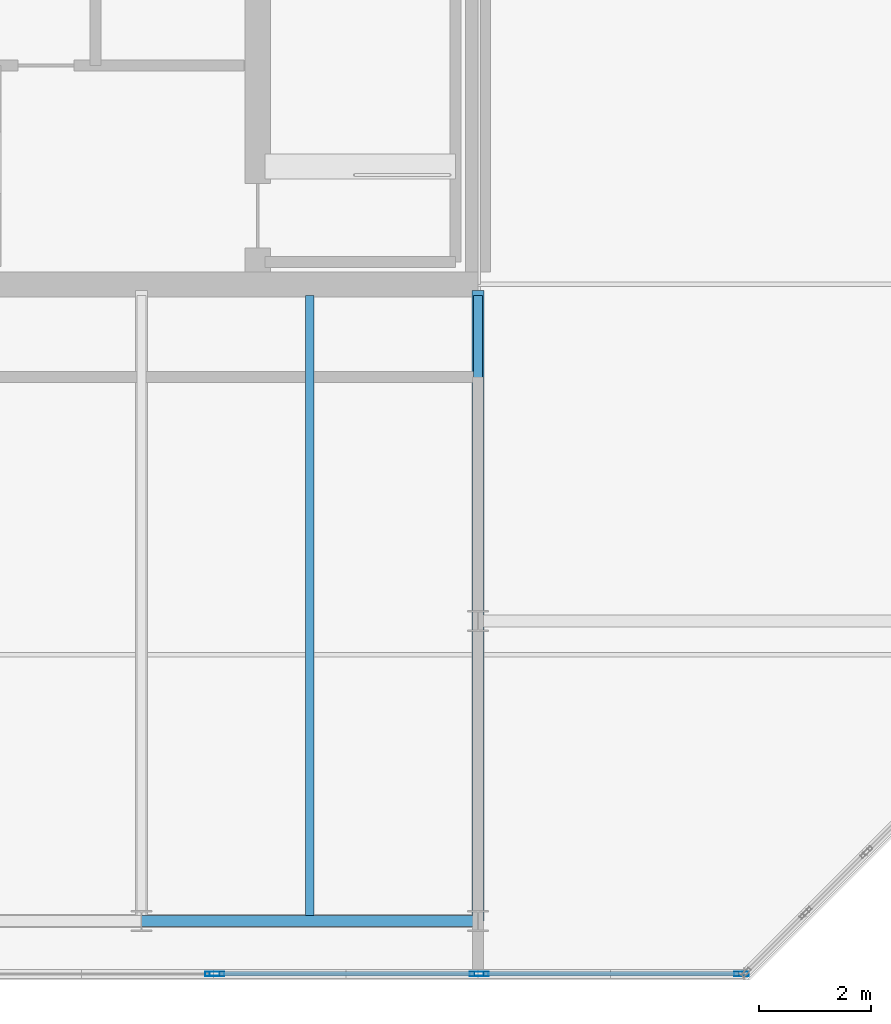
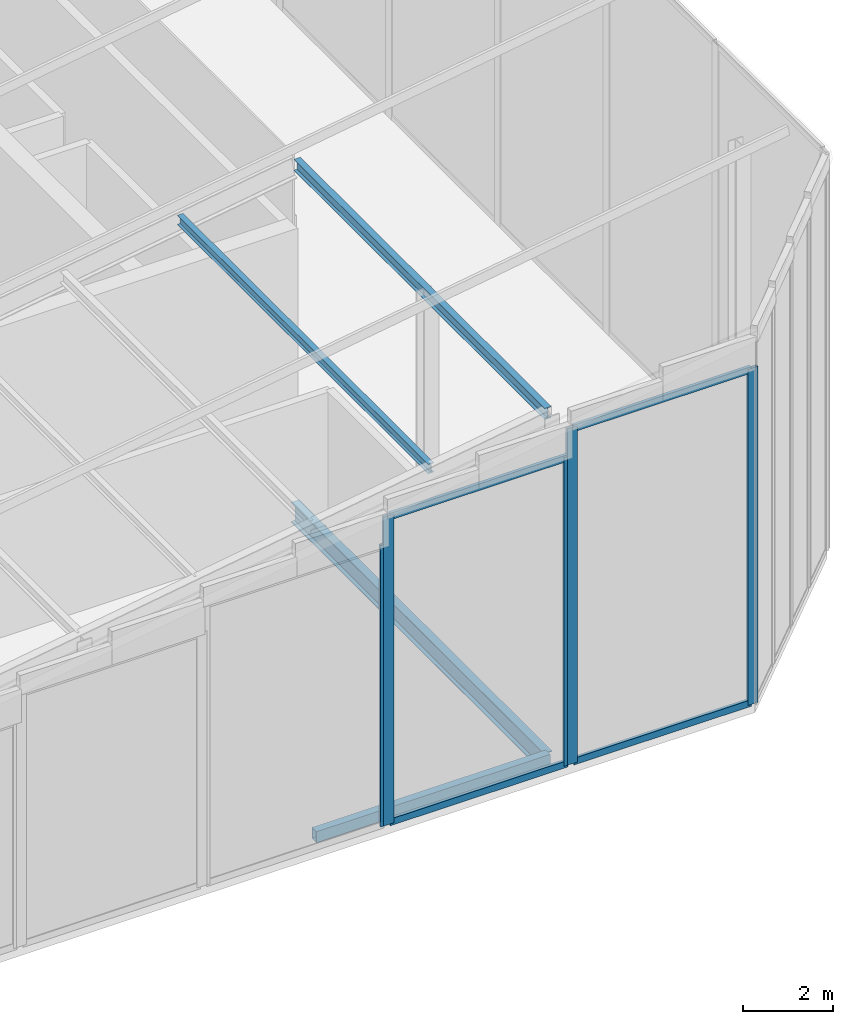
# One storey, part 10 of 30: 11 members, 2 beams, 3 elements without a shape of their own.
"""IFC4 building model written with IfcOpenShell, lengths in metres."""

from ifc_helpers import new_model, si_unit, direction, frame, origin, origin_2d, place, context, subcontext, project, spatial, hollow_rectangle, i_section, extrude, material, layer, layer_set, material_profile, profile_set, type_object, element, aggregate, save


model = new_model("IFC4")

# Units and contexts
model_context = context("Model", 3, precision=1e-05, world=origin(), true_north=direction((0.0, 1.0)))
body_context = subcontext(model_context, "Body", "Model", "MODEL_VIEW")
ifc_project = project(units=[si_unit("LENGTHUNIT", "METRE"), si_unit("AREAUNIT", "SQUARE_METRE"), si_unit("VOLUMEUNIT", "CUBIC_METRE"), si_unit("PLANEANGLEUNIT", "RADIAN"), si_unit("MASSUNIT", "GRAM", prefix="KILO")], contexts=[model_context])

# Site, building, storey
site_placement = place(None, origin())
site = spatial("IfcSite", under=ifc_project, at=site_placement, CompositionType="ELEMENT")
building_placement = place(site_placement, origin())
building = spatial("IfcBuilding", under=site, at=building_placement, Name="Tanjung Sevakor Pilgrim Tower", CompositionType="ELEMENT")
storey_placement = place(building_placement, frame((0.0, 0.0, 287.760009765625)))
storey = spatial("IfcBuildingStorey", under=building, at=storey_placement, Name="L80", CompositionType="ELEMENT", Elevation=287.760009765625)

# Beams
ifc_material_1 = material(Name="Steel S355J2", Category="steel")
ifc_material_profile_1 = material_profile(ifc_material_1, i_section(OverallWidth=0.210693359375, OverallDepth=0.53955078125, WebThickness=0.01171875, FlangeThickness=0.018798828125, FilletRadius=0.0126953125, at=origin_2d()))
ifc_profile_set_1 = profile_set([ifc_material_profile_1], Name="Steel S355J2")
beam_type_1 = type_object("IfcBeamType", Name="BM-B-G6-UB_533x210x109", PredefinedType="BEAM", material=ifc_profile_set_1)
beam_1_placement = place(storey_placement, frame((90.0, 13.25, -0.52978515625), z_axis=(0.0, 1.0, 0.0), x_axis=(-1.0, 0.0, 0.0)))
element("IfcBeam", 1, at=beam_1_placement, inside=storey, type_object=beam_type_1, Name="L80 EAST Girder 009", PredefinedType="BEAM", context=body_context, shape_type="SweptSolid", body=[
    extrude(i_section(OverallWidth=0.210693359375, OverallDepth=0.53955078125, WebThickness=0.01171875, FlangeThickness=0.018798828125, FilletRadius=0.0126953125, at=origin_2d()), origin(), (0.0, 0.0, 1.0), 11.243896484375),
])
ifc_material_2 = material(Name="Steel S355J2", Category="steel")
ifc_material_profile_2 = material_profile(ifc_material_2, hollow_rectangle(XDim=0.199951171875, YDim=0.300048828125, WallThickness=0.012451171875, at=origin_2d()))
ifc_profile_set_2 = profile_set([ifc_material_profile_2], Name="Steel S355J2")
beam_type_2 = type_object("IfcBeamType", Name="BM-B-SP3-RHS_300x200x12.5", PredefinedType="SPANDREL", material=ifc_profile_set_2)
beam_2_placement = place(storey_placement, frame((84.0, 13.25, -0.409912109375), z_axis=(1.0, 0.0, 0.0), x_axis=(0.0, 1.0, 0.0)))
element("IfcBeam", 2, at=beam_2_placement, inside=storey, type_object=beam_type_2, Name="L80 Spandrel EAST S-05", PredefinedType="SPANDREL", context=body_context, shape_type="SweptSolid", body=[
    extrude(hollow_rectangle(XDim=0.199951171875, YDim=0.300048828125, WallThickness=0.012451171875, at=origin_2d()), origin(), (0.0, 0.0, 1.0), 6.0),
])

# Members
ifc_material_3 = material(Name="Steel S355J2", Category="steel")
ifc_material_profile_3 = material_profile(ifc_material_3, i_section(OverallWidth=0.165771484375, OverallDepth=0.306640625, WebThickness=0.006591796875, FlangeThickness=0.01171875, FilletRadius=0.0087890625, at=origin_2d()))
ifc_profile_set_3 = profile_set([ifc_material_profile_3], Name="Steel S355J2")
member_type_1 = type_object("IfcMemberType", Name="MEM-M-PR1-UB_305x165x46", PredefinedType="PURLIN", material=ifc_profile_set_3)
member_1_placement = place(storey_placement, frame((90.0, 13.25, 8.94140625), z_axis=(0.0, 1.0, 0.0), x_axis=(-1.0, 0.0, 0.0)))
element("IfcMember", 3, at=member_1_placement, inside=storey, type_object=member_type_1, Name="L80 Crown Roof Purlin 13", PredefinedType="PURLIN", context=body_context, shape_type="SweptSolid", body=[
    extrude(i_section(OverallWidth=0.165771484375, OverallDepth=0.306640625, WebThickness=0.006591796875, FlangeThickness=0.01171875, FilletRadius=0.0087890625, at=origin_2d()), origin(), (0.0, 0.0, 1.0), 11.14990234375),
])
ifc_material_4 = material(Name="Steel S355J2", Category="steel")
ifc_material_profile_4 = material_profile(ifc_material_4, i_section(OverallWidth=0.146484375, OverallDepth=0.256103515625, WebThickness=0.00634765625, FlangeThickness=0.010986328125, FilletRadius=0.007568359375, at=origin_2d()))
ifc_profile_set_4 = profile_set([ifc_material_profile_4], Name="Steel S355J2")
member_type_2 = type_object("IfcMemberType", Name="MEM-M-PR2-UB_254x146x37", PredefinedType="PURLIN", material=ifc_profile_set_4)
member_2_placement = place(storey_placement, frame((87.0, 13.25, 8.4951171875), z_axis=(0.0, 1.0, 0.0), x_axis=(-1.0, 0.0, 0.0)))
element("IfcMember", 4, at=member_2_placement, inside=storey, type_object=member_type_2, Name="L80 Crown Roof Purlin 11", PredefinedType="PURLIN", context=body_context, shape_type="SweptSolid", body=[
    extrude(i_section(OverallWidth=0.146484375, OverallDepth=0.256103515625, WebThickness=0.00634765625, FlangeThickness=0.010986328125, FilletRadius=0.007568359375, at=origin_2d()), origin(), (0.0, 0.0, 1.0), 11.14990234375),
])

# Curtain wall, member
ifc_material_5 = material(Name="Aluminium 6063-T6 and Low-E Glass", Category="aluminium")
ifc_layer = layer(ifc_material_5, 0.219970703125)
ifc_layer_set = layer_set([ifc_layer], Name="CW-SYS-CRNE")
curtain_wall_type = type_object("IfcCurtainWallType", Name="CW-SYS-CRNE", PredefinedType="NOTDEFINED", material=ifc_layer_set)
curtain_wall_1_placement = place(storey_placement, origin())
curtain_wall_1 = element("IfcCurtainWall", 5, at=curtain_wall_1_placement, inside=storey, type_object=curtain_wall_type, Name="L80 Curtain Wall CW-CRN-L80-EAST-0-1B3", PredefinedType="NOTDEFINED")
ifc_material_6 = material(Name="Aluminium 6063-T6", Category="aluminium")
ifc_material_profile_5 = material_profile(ifc_material_6, hollow_rectangle(XDim=0.080078125, YDim=0.260009765625, WallThickness=0.0048828125, at=origin_2d()))
ifc_profile_set_5 = profile_set([ifc_material_profile_5], Name="Aluminium 6063-T6")
member_type_3 = type_object("IfcMemberType", Name="TYPE-CWM-3", PredefinedType="MULLION", material=ifc_profile_set_5)
member_3_placement = place(storey_placement, frame((85.266845703125, 12.31005859375, 0.0), z_axis=(0.0, 0.0, 1.0), x_axis=(0.0, 1.0, 0.0)))
member_3 = element("IfcMember", 6, at=member_3_placement, type_object=member_type_3, Name="CW-CRE mullion 2", PredefinedType="MULLION", context=body_context, shape_type="SweptSolid", body=[
    extrude(hollow_rectangle(XDim=0.080078125, YDim=0.260009765625, WallThickness=0.0048828125, at=origin_2d()), origin(), (0.0, 0.0, 1.0), 7.636474609375),
])
aggregate(curtain_wall_1, [member_3])

# Curtain wall, members
curtain_wall_2_placement = place(storey_placement, origin())
curtain_wall_2 = element("IfcCurtainWall", 7, at=curtain_wall_2_placement, inside=storey, type_object=curtain_wall_type, Name="L80 Curtain Wall CW-CRN-L80-EAST-0-1B4", PredefinedType="NOTDEFINED")
member_4_placement = place(storey_placement, frame((85.346923828125, 12.31005859375, 0.0), z_axis=(0.0, 0.0, 1.0), x_axis=(0.0, 1.0, 0.0)))
member_4 = element("IfcMember", 8, at=member_4_placement, type_object=member_type_3, Name="CW-CRE mullion 1", PredefinedType="MULLION", context=body_context, shape_type="SweptSolid", body=[
    extrude(hollow_rectangle(XDim=0.080078125, YDim=0.260009765625, WallThickness=0.0048828125, at=origin_2d()), origin(), (0.0, 0.0, 1.0), 8.377197265625),
])
member_5_placement = place(storey_placement, frame((89.980712890625, 12.31005859375, 0.0), z_axis=(0.0, 0.0, 1.0), x_axis=(0.0, 1.0, 0.0)))
member_5 = element("IfcMember", 9, at=member_5_placement, type_object=member_type_3, Name="CW-CRE mullion 2", PredefinedType="MULLION", context=body_context, shape_type="SweptSolid", body=[
    extrude(hollow_rectangle(XDim=0.080078125, YDim=0.260009765625, WallThickness=0.0048828125, at=origin_2d()), origin(), (0.0, 0.0, 1.0), 8.377197265625),
])

curtain_wall_3_placement = place(storey_placement, origin())
curtain_wall_3 = element("IfcCurtainWall", 10, at=curtain_wall_3_placement, inside=storey, type_object=curtain_wall_type, Name="L80 Curtain Wall CW-CRN-L80-EAST-0-1B5", PredefinedType="NOTDEFINED")
member_6_placement = place(storey_placement, frame((90.060546875, 12.31005859375, 0.0), z_axis=(0.0, 0.0, 1.0), x_axis=(0.0, 1.0, 0.0)))
member_6 = element("IfcMember", 11, at=member_6_placement, type_object=member_type_3, Name="CW-CRE mullion 1", PredefinedType="MULLION", context=body_context, shape_type="SweptSolid", body=[
    extrude(hollow_rectangle(XDim=0.080078125, YDim=0.260009765625, WallThickness=0.0048828125, at=origin_2d()), origin(), (0.0, 0.0, 1.0), 9.11767578125),
])
member_7_placement = place(storey_placement, frame((94.6943359375, 12.31005859375, 0.0), z_axis=(0.0, 0.0, 1.0), x_axis=(0.0, 1.0, 0.0)))
member_7 = element("IfcMember", 12, at=member_7_placement, type_object=member_type_3, Name="CW-CRE mullion 2", PredefinedType="MULLION", context=body_context, shape_type="SweptSolid", body=[
    extrude(hollow_rectangle(XDim=0.080078125, YDim=0.260009765625, WallThickness=0.0048828125, at=origin_2d()), origin(), (0.0, 0.0, 1.0), 9.11767578125),
])

# Member
ifc_material_7 = material(Name="Aluminium 6063-T6", Category="aluminium")
ifc_material_profile_6 = material_profile(ifc_material_7, hollow_rectangle(XDim=0.080078125, YDim=0.179931640625, WallThickness=0.0048828125, at=origin_2d()))
ifc_profile_set_6 = profile_set([ifc_material_profile_6], Name="Aluminium 6063-T6")
member_type_4 = type_object("IfcMemberType", Name="TYPE-CWT-3", PredefinedType="USERDEFINED", material=ifc_profile_set_6)
member_8_placement = place(storey_placement, frame((85.386962890625, 12.31005859375, 0.0400390625), z_axis=(1.0, 0.0, 0.0), x_axis=(0.0, 1.0, 0.0)))
member_8 = element("IfcMember", 13, at=member_8_placement, type_object=member_type_4, Name="CW-CRE transom 1.1", ObjectType="TRANSOM", PredefinedType="USERDEFINED", context=body_context, shape_type="SweptSolid", body=[
    extrude(hollow_rectangle(XDim=0.080078125, YDim=0.179931640625, WallThickness=0.0048828125, at=origin_2d()), origin(), (0.0, 0.0, 1.0), 4.5537109375),
])

member_9_placement = place(storey_placement, frame((85.386962890625, 12.31005859375, 8.337158203125), z_axis=(1.0, 0.0, 0.0), x_axis=(0.0, 1.0, 0.0)))
member_9 = element("IfcMember", 14, at=member_9_placement, type_object=member_type_4, Name="CW-CRE transom 1.2", ObjectType="TRANSOM", PredefinedType="USERDEFINED", context=body_context, shape_type="SweptSolid", body=[
    extrude(hollow_rectangle(XDim=0.080078125, YDim=0.179931640625, WallThickness=0.0048828125, at=origin_2d()), origin(), (0.0, 0.0, 1.0), 4.5537109375),
])

aggregate(curtain_wall_2, [member_4, member_5, member_8, member_9])

member_10_placement = place(storey_placement, frame((90.1005859375, 12.31005859375, 0.0400390625), z_axis=(1.0, 0.0, 0.0), x_axis=(0.0, 1.0, 0.0)))
member_10 = element("IfcMember", 15, at=member_10_placement, type_object=member_type_4, Name="CW-CRE transom 1.1", ObjectType="TRANSOM", PredefinedType="USERDEFINED", context=body_context, shape_type="SweptSolid", body=[
    extrude(hollow_rectangle(XDim=0.080078125, YDim=0.179931640625, WallThickness=0.0048828125, at=origin_2d()), origin(), (0.0, 0.0, 1.0), 4.5537109375),
])

member_11_placement = place(storey_placement, frame((90.1005859375, 12.31005859375, 9.077880859375), z_axis=(1.0, 0.0, 0.0), x_axis=(0.0, 1.0, 0.0)))
member_11 = element("IfcMember", 16, at=member_11_placement, type_object=member_type_4, Name="CW-CRE transom 1.2", ObjectType="TRANSOM", PredefinedType="USERDEFINED", context=body_context, shape_type="SweptSolid", body=[
    extrude(hollow_rectangle(XDim=0.080078125, YDim=0.179931640625, WallThickness=0.0048828125, at=origin_2d()), origin(), (0.0, 0.0, 1.0), 4.5537109375),
])

aggregate(curtain_wall_3, [member_6, member_7, member_10, member_11])

save(model, "model.ifc")
